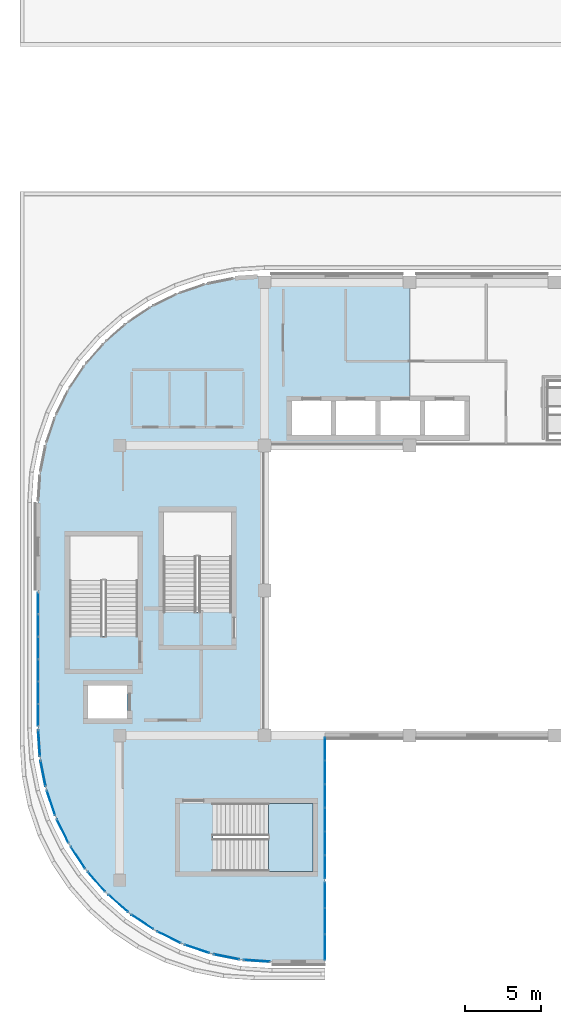
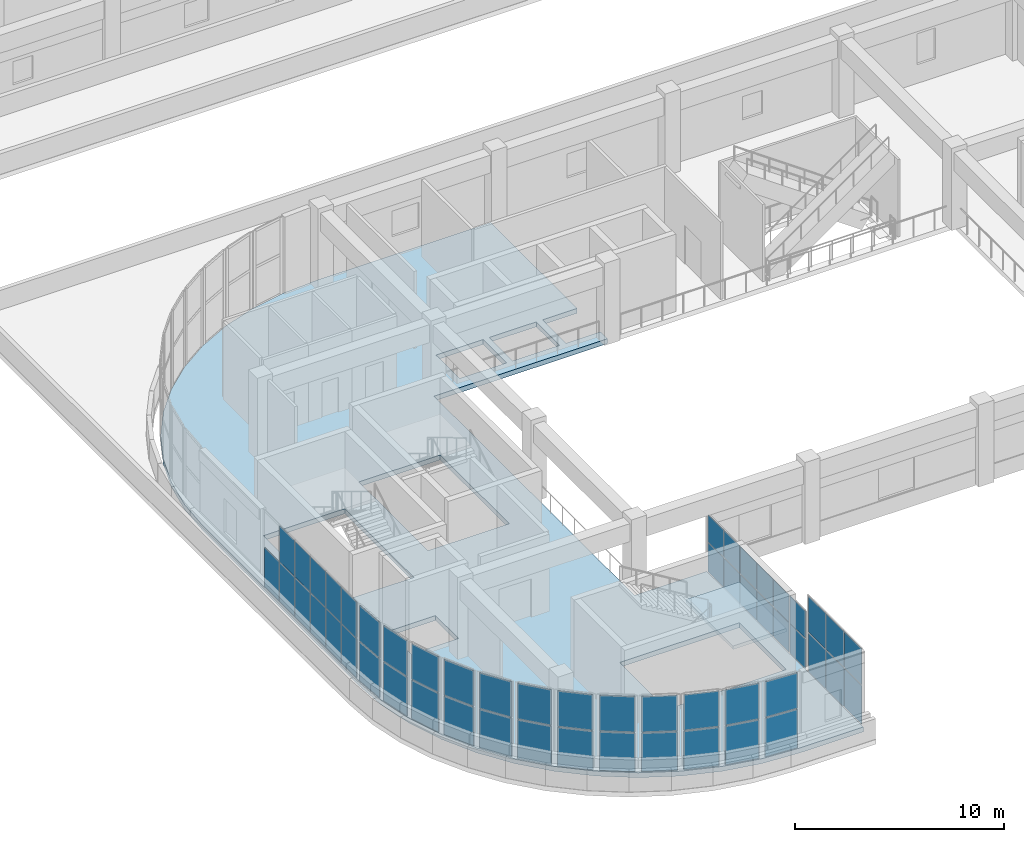
# One storey, part 26 of 67: 53 plates, 2 slabs, 16 elements without a shape of their own.
"""IFC4 building model written with IfcOpenShell, lengths in metres."""

from ifc_helpers import new_model, si_unit, direction, frame, origin, origin_2d, place, context, subcontext, project, spatial, polyline, rectangle, outline, extrude, material, layer, layer_set, type_object, element, aggregate, save


model = new_model("IFC4")

# Units and contexts
model_context = context("Model", 3, precision=1e-05, world=origin(), true_north=direction((0.0, 1.0)))
body_context = subcontext(model_context, "Body", "Model", "MODEL_VIEW")
ifc_project = project(units=[si_unit("LENGTHUNIT", "METRE"), si_unit("AREAUNIT", "SQUARE_METRE"), si_unit("VOLUMEUNIT", "CUBIC_METRE"), si_unit("PLANEANGLEUNIT", "RADIAN"), si_unit("MASSUNIT", "GRAM", prefix="KILO")], contexts=[model_context])

# Site, building, storey
site_placement = place(None, origin())
site = spatial("IfcSite", under=ifc_project, at=site_placement, CompositionType="ELEMENT")
building_placement = place(site_placement, origin())
building = spatial("IfcBuilding", under=site, at=building_placement, Name="Cendralis Terraced Arcade", CompositionType="ELEMENT")
storey_placement = place(building_placement, frame((0.0, 0.0, 15.0)))
storey = spatial("IfcBuildingStorey", under=building, at=storey_placement, Name="L03", CompositionType="ELEMENT", Elevation=15.0)

# Curtain wall, plates
ifc_material_1 = material(Name="Anodised aluminium EN AW-6063 T6", Category="aluminium")
ifc_layer_1 = layer(ifc_material_1, 0.1201171875, Name="CW-STORE-B")
ifc_layer_set_1 = layer_set([ifc_layer_1], Name="Anodised aluminium EN AW-6063 T6")
curtain_wall_type_1 = type_object("IfcCurtainWallType", Name="CW-STORE-B", PredefinedType="USERDEFINED", material=ifc_layer_set_1)
curtain_wall_1_placement = place(storey_placement, origin())
curtain_wall_1 = element("IfcCurtainWall", 1, at=curtain_wall_1_placement, inside=storey, type_object=curtain_wall_type_1, Name="Exterior Storefront Glazing CW-L03-0283", ObjectType="STOREFRONT GLAZING", PredefinedType="USERDEFINED")
ifc_material_2 = material(Name="Tempered solar control laminated glass", Category="glass")
ifc_layer_2 = layer(ifc_material_2, 0.02392578125, Name="CW-STORE-B-PNL")
ifc_layer_set_2 = layer_set([ifc_layer_2], Name="Tempered solar control laminated glass")
plate_type_1 = type_object("IfcPlateType", Name="CW-STORE-B-PNL", PredefinedType="CURTAIN_PANEL", material=ifc_layer_set_2)
plate_1_placement = place(storey_placement, frame((23.199951171875, 18.311279296875, 0.054931640625), z_axis=(0.0, 0.0, 1.0), x_axis=(0.0, -1.0, 0.0)))
plate_1 = element("IfcPlate", 2, at=plate_1_placement, type_object=plate_type_1, Name="CW-S2 panel 1.1", PredefinedType="CURTAIN_PANEL", context=body_context, shape_type="SweptSolid", body=[
    extrude(rectangle(XDim=1.487548828125, YDim=0.02392578125, at=origin_2d()), origin(), (0.0, 0.0, 1.0), 1.716796875),
])
plate_2_placement = place(storey_placement, frame((23.199951171875, 18.311279296875, 1.82666015625), z_axis=(0.0, 0.0, 1.0), x_axis=(0.0, -1.0, 0.0)))
plate_2 = element("IfcPlate", 3, at=plate_2_placement, type_object=plate_type_1, Name="CW-S2 panel 1.2", PredefinedType="CURTAIN_PANEL", context=body_context, shape_type="SweptSolid", body=[
    extrude(rectangle(XDim=1.487548828125, YDim=0.02392578125, at=origin_2d()), origin(), (0.0, 0.0, 1.0), 1.578369140625),
])
plate_3_placement = place(storey_placement, frame((23.199951171875, 16.7548828125, 0.054931640625), z_axis=(0.0, 0.0, 1.0), x_axis=(0.0, -1.0, 0.0)))
plate_3 = element("IfcPlate", 4, at=plate_3_placement, type_object=plate_type_1, Name="CW-S2 panel 2.1", PredefinedType="CURTAIN_PANEL", context=body_context, shape_type="SweptSolid", body=[
    extrude(rectangle(XDim=1.514892578125, YDim=0.02392578125, at=origin_2d()), origin(), (0.0, 0.0, 1.0), 1.716796875),
])
plate_4_placement = place(storey_placement, frame((23.199951171875, 16.7548828125, 1.82666015625), z_axis=(0.0, 0.0, 1.0), x_axis=(0.0, -1.0, 0.0)))
plate_4 = element("IfcPlate", 5, at=plate_4_placement, type_object=plate_type_1, Name="CW-S2 panel 2.2", PredefinedType="CURTAIN_PANEL", context=body_context, shape_type="SweptSolid", body=[
    extrude(rectangle(XDim=1.514892578125, YDim=0.02392578125, at=origin_2d()), origin(), (0.0, 0.0, 1.0), 1.578369140625),
])
plate_5_placement = place(storey_placement, frame((23.199951171875, 15.18505859375, 0.054931640625), z_axis=(0.0, 0.0, 1.0), x_axis=(0.0, -1.0, 0.0)))
plate_5 = element("IfcPlate", 6, at=plate_5_placement, type_object=plate_type_1, Name="CW-S2 panel 3.1", PredefinedType="CURTAIN_PANEL", context=body_context, shape_type="SweptSolid", body=[
    extrude(rectangle(XDim=1.514892578125, YDim=0.02392578125, at=origin_2d()), origin(), (0.0, 0.0, 1.0), 1.716796875),
])
plate_6_placement = place(storey_placement, frame((23.199951171875, 15.18505859375, 1.82666015625), z_axis=(0.0, 0.0, 1.0), x_axis=(0.0, -1.0, 0.0)))
plate_6 = element("IfcPlate", 7, at=plate_6_placement, type_object=plate_type_1, Name="CW-S2 panel 3.2", PredefinedType="CURTAIN_PANEL", context=body_context, shape_type="SweptSolid", body=[
    extrude(rectangle(XDim=1.514892578125, YDim=0.02392578125, at=origin_2d()), origin(), (0.0, 0.0, 1.0), 1.578369140625),
])
plate_7_placement = place(storey_placement, frame((23.199951171875, 13.614990234375, 0.054931640625), z_axis=(0.0, 0.0, 1.0), x_axis=(0.0, -1.0, 0.0)))
plate_7 = element("IfcPlate", 8, at=plate_7_placement, type_object=plate_type_1, Name="CW-S2 panel 4.1", PredefinedType="CURTAIN_PANEL", context=body_context, shape_type="SweptSolid", body=[
    extrude(rectangle(XDim=1.514892578125, YDim=0.02392578125, at=origin_2d()), origin(), (0.0, 0.0, 1.0), 1.716796875),
])
plate_8_placement = place(storey_placement, frame((23.199951171875, 13.614990234375, 1.82666015625), z_axis=(0.0, 0.0, 1.0), x_axis=(0.0, -1.0, 0.0)))
plate_8 = element("IfcPlate", 9, at=plate_8_placement, type_object=plate_type_1, Name="CW-S2 panel 4.2", PredefinedType="CURTAIN_PANEL", context=body_context, shape_type="SweptSolid", body=[
    extrude(rectangle(XDim=1.514892578125, YDim=0.02392578125, at=origin_2d()), origin(), (0.0, 0.0, 1.0), 1.578369140625),
])
plate_9_placement = place(storey_placement, frame((23.199951171875, 12.044921875, 0.054931640625), z_axis=(0.0, 0.0, 1.0), x_axis=(0.0, -1.0, 0.0)))
plate_9 = element("IfcPlate", 10, at=plate_9_placement, type_object=plate_type_1, Name="CW-S2 panel 5.1", PredefinedType="CURTAIN_PANEL", context=body_context, shape_type="SweptSolid", body=[
    extrude(rectangle(XDim=1.514892578125, YDim=0.02392578125, at=origin_2d()), origin(), (0.0, 0.0, 1.0), 1.716796875),
])
plate_10_placement = place(storey_placement, frame((23.199951171875, 12.044921875, 1.82666015625), z_axis=(0.0, 0.0, 1.0), x_axis=(0.0, -1.0, 0.0)))
plate_10 = element("IfcPlate", 11, at=plate_10_placement, type_object=plate_type_1, Name="CW-S2 panel 5.2", PredefinedType="CURTAIN_PANEL", context=body_context, shape_type="SweptSolid", body=[
    extrude(rectangle(XDim=1.514892578125, YDim=0.02392578125, at=origin_2d()), origin(), (0.0, 0.0, 1.0), 1.578369140625),
])
plate_11_placement = place(storey_placement, frame((23.199951171875, 10.48876953125, 0.054931640625), z_axis=(0.0, 0.0, 1.0), x_axis=(0.0, -1.0, 0.0)))
plate_11 = element("IfcPlate", 12, at=plate_11_placement, type_object=plate_type_1, Name="CW-S2 panel 6.1", PredefinedType="CURTAIN_PANEL", context=body_context, shape_type="SweptSolid", body=[
    extrude(rectangle(XDim=1.487548828125, YDim=0.02392578125, at=origin_2d()), origin(), (0.0, 0.0, 1.0), 1.716796875),
])
plate_12_placement = place(storey_placement, frame((23.199951171875, 10.48876953125, 1.82666015625), z_axis=(0.0, 0.0, 1.0), x_axis=(0.0, -1.0, 0.0)))
plate_12 = element("IfcPlate", 13, at=plate_12_placement, type_object=plate_type_1, Name="CW-S2 panel 6.2", PredefinedType="CURTAIN_PANEL", context=body_context, shape_type="SweptSolid", body=[
    extrude(rectangle(XDim=1.487548828125, YDim=0.02392578125, at=origin_2d()), origin(), (0.0, 0.0, 1.0), 1.578369140625),
])
aggregate(curtain_wall_1, [plate_1, plate_2, plate_3, plate_4, plate_5, plate_6, plate_7, plate_8, plate_9, plate_10, plate_11, plate_12])

curtain_wall_2_placement = place(storey_placement, origin())
curtain_wall_2 = element("IfcCurtainWall", 14, at=curtain_wall_2_placement, inside=storey, type_object=curtain_wall_type_1, Name="Exterior Storefront Glazing CW-L03-0284", ObjectType="STOREFRONT GLAZING", PredefinedType="USERDEFINED")
plate_13_placement = place(storey_placement, frame((23.199951171875, 8.626220703125, 0.05517578125), z_axis=(0.0, 0.0, 1.0), x_axis=(0.0, -1.0, 0.0)))
plate_13 = element("IfcPlate", 15, at=plate_13_placement, type_object=plate_type_1, Name="CW-S2 panel 1.1", PredefinedType="CURTAIN_PANEL", context=body_context, shape_type="SweptSolid", body=[
    extrude(rectangle(XDim=1.657470703125, YDim=0.02392578125, at=origin_2d()), origin(), (0.0, 0.0, 1.0), 2.267822265625),
])
plate_14_placement = place(storey_placement, frame((23.199951171875, 8.626220703125, 2.3779296875), z_axis=(0.0, 0.0, 1.0), x_axis=(0.0, -1.0, 0.0)))
plate_14 = element("IfcPlate", 16, at=plate_14_placement, type_object=plate_type_1, Name="CW-S2 panel 1.2", PredefinedType="CURTAIN_PANEL", context=body_context, shape_type="SweptSolid", body=[
    extrude(rectangle(XDim=1.657470703125, YDim=0.02392578125, at=origin_2d()), origin(), (0.0, 0.0, 1.0), 2.087158203125),
])
plate_15_placement = place(storey_placement, frame((23.199951171875, 6.89990234375, 0.05517578125), z_axis=(0.0, 0.0, 1.0), x_axis=(0.0, -1.0, 0.0)))
plate_15 = element("IfcPlate", 17, at=plate_15_placement, type_object=plate_type_1, Name="CW-S2 panel 2.1", PredefinedType="CURTAIN_PANEL", context=body_context, shape_type="SweptSolid", body=[
    extrude(rectangle(XDim=1.68505859375, YDim=0.02392578125, at=origin_2d()), origin(), (0.0, 0.0, 1.0), 2.267822265625),
])
plate_16_placement = place(storey_placement, frame((23.199951171875, 6.89990234375, 2.3779296875), z_axis=(0.0, 0.0, 1.0), x_axis=(0.0, -1.0, 0.0)))
plate_16 = element("IfcPlate", 18, at=plate_16_placement, type_object=plate_type_1, Name="CW-S2 panel 2.2", PredefinedType="CURTAIN_PANEL", context=body_context, shape_type="SweptSolid", body=[
    extrude(rectangle(XDim=1.68505859375, YDim=0.02392578125, at=origin_2d()), origin(), (0.0, 0.0, 1.0), 2.087158203125),
])
plate_17_placement = place(storey_placement, frame((23.199951171875, 5.173828125, 0.05517578125), z_axis=(0.0, 0.0, 1.0), x_axis=(0.0, -1.0, 0.0)))
plate_17 = element("IfcPlate", 19, at=plate_17_placement, type_object=plate_type_1, Name="CW-S2 panel 3.1", PredefinedType="CURTAIN_PANEL", context=body_context, shape_type="SweptSolid", body=[
    extrude(rectangle(XDim=1.657470703125, YDim=0.02392578125, at=origin_2d()), origin(), (0.0, 0.0, 1.0), 2.267822265625),
])
plate_18_placement = place(storey_placement, frame((23.199951171875, 5.173828125, 2.3779296875), z_axis=(0.0, 0.0, 1.0), x_axis=(0.0, -1.0, 0.0)))
plate_18 = element("IfcPlate", 20, at=plate_18_placement, type_object=plate_type_1, Name="CW-S2 panel 3.2", PredefinedType="CURTAIN_PANEL", context=body_context, shape_type="SweptSolid", body=[
    extrude(rectangle(XDim=1.657470703125, YDim=0.02392578125, at=origin_2d()), origin(), (0.0, 0.0, 1.0), 2.087158203125),
])
aggregate(curtain_wall_2, [plate_13, plate_14, plate_15, plate_16, plate_17, plate_18])

curtain_wall_3_placement = place(storey_placement, origin())
curtain_wall_3 = element("IfcCurtainWall", 21, at=curtain_wall_3_placement, inside=storey, type_object=curtain_wall_type_1, Name="Exterior Storefront Glazing CW-L03-0297", ObjectType="STOREFRONT GLAZING", PredefinedType="USERDEFINED")
plate_19_placement = place(storey_placement, frame((4.199951171875, 20.547119140625, 0.05517578125), z_axis=(0.0, 0.0, 1.0), x_axis=(0.0, 1.0, 0.0)))
plate_19 = element("IfcPlate", 22, at=plate_19_placement, type_object=plate_type_1, Name="CW-S2 panel 1.1", PredefinedType="CURTAIN_PANEL", context=body_context, shape_type="SweptSolid", body=[
    extrude(rectangle(XDim=1.404052734375, YDim=0.02392578125, at=origin_2d()), origin(), (0.0, 0.0, 1.0), 2.267822265625),
])
plate_20_placement = place(storey_placement, frame((4.199951171875, 20.547119140625, 2.3779296875), z_axis=(0.0, 0.0, 1.0), x_axis=(0.0, 1.0, 0.0)))
plate_20 = element("IfcPlate", 23, at=plate_20_placement, type_object=plate_type_1, Name="CW-S2 panel 1.2", PredefinedType="CURTAIN_PANEL", context=body_context, shape_type="SweptSolid", body=[
    extrude(rectangle(XDim=1.404052734375, YDim=0.02392578125, at=origin_2d()), origin(), (0.0, 0.0, 1.0), 2.087158203125),
])
plate_21_placement = place(storey_placement, frame((4.199951171875, 22.02001953125, 0.05517578125), z_axis=(0.0, 0.0, 1.0), x_axis=(0.0, 1.0, 0.0)))
plate_21 = element("IfcPlate", 24, at=plate_21_placement, type_object=plate_type_1, Name="CW-S2 panel 2.1", PredefinedType="CURTAIN_PANEL", context=body_context, shape_type="SweptSolid", body=[
    extrude(rectangle(XDim=1.431640625, YDim=0.02392578125, at=origin_2d()), origin(), (0.0, 0.0, 1.0), 2.267822265625),
])
plate_22_placement = place(storey_placement, frame((4.199951171875, 22.02001953125, 2.3779296875), z_axis=(0.0, 0.0, 1.0), x_axis=(0.0, 1.0, 0.0)))
plate_22 = element("IfcPlate", 25, at=plate_22_placement, type_object=plate_type_1, Name="CW-S2 panel 2.2", PredefinedType="CURTAIN_PANEL", context=body_context, shape_type="SweptSolid", body=[
    extrude(rectangle(XDim=1.431640625, YDim=0.02392578125, at=origin_2d()), origin(), (0.0, 0.0, 1.0), 2.087158203125),
])
plate_23_placement = place(storey_placement, frame((4.199951171875, 23.506591796875, 0.05517578125), z_axis=(0.0, 0.0, 1.0), x_axis=(0.0, 1.0, 0.0)))
plate_23 = element("IfcPlate", 26, at=plate_23_placement, type_object=plate_type_1, Name="CW-S2 panel 3.1", PredefinedType="CURTAIN_PANEL", context=body_context, shape_type="SweptSolid", body=[
    extrude(rectangle(XDim=1.431640625, YDim=0.02392578125, at=origin_2d()), origin(), (0.0, 0.0, 1.0), 2.267822265625),
])
plate_24_placement = place(storey_placement, frame((4.199951171875, 23.506591796875, 2.3779296875), z_axis=(0.0, 0.0, 1.0), x_axis=(0.0, 1.0, 0.0)))
plate_24 = element("IfcPlate", 27, at=plate_24_placement, type_object=plate_type_1, Name="CW-S2 panel 3.2", PredefinedType="CURTAIN_PANEL", context=body_context, shape_type="SweptSolid", body=[
    extrude(rectangle(XDim=1.431640625, YDim=0.02392578125, at=origin_2d()), origin(), (0.0, 0.0, 1.0), 2.087158203125),
])
plate_25_placement = place(storey_placement, frame((4.199951171875, 24.993408203125, 0.05517578125), z_axis=(0.0, 0.0, 1.0), x_axis=(0.0, 1.0, 0.0)))
plate_25 = element("IfcPlate", 28, at=plate_25_placement, type_object=plate_type_1, Name="CW-S2 panel 4.1", PredefinedType="CURTAIN_PANEL", context=body_context, shape_type="SweptSolid", body=[
    extrude(rectangle(XDim=1.431640625, YDim=0.02392578125, at=origin_2d()), origin(), (0.0, 0.0, 1.0), 2.267822265625),
])
plate_26_placement = place(storey_placement, frame((4.199951171875, 24.993408203125, 2.3779296875), z_axis=(0.0, 0.0, 1.0), x_axis=(0.0, 1.0, 0.0)))
plate_26 = element("IfcPlate", 29, at=plate_26_placement, type_object=plate_type_1, Name="CW-S2 panel 4.2", PredefinedType="CURTAIN_PANEL", context=body_context, shape_type="SweptSolid", body=[
    extrude(rectangle(XDim=1.431640625, YDim=0.02392578125, at=origin_2d()), origin(), (0.0, 0.0, 1.0), 2.087158203125),
])
plate_27_placement = place(storey_placement, frame((4.199951171875, 26.47998046875, 0.05517578125), z_axis=(0.0, 0.0, 1.0), x_axis=(0.0, 1.0, 0.0)))
plate_27 = element("IfcPlate", 30, at=plate_27_placement, type_object=plate_type_1, Name="CW-S2 panel 5.1", PredefinedType="CURTAIN_PANEL", context=body_context, shape_type="SweptSolid", body=[
    extrude(rectangle(XDim=1.431640625, YDim=0.02392578125, at=origin_2d()), origin(), (0.0, 0.0, 1.0), 2.267822265625),
])
plate_28_placement = place(storey_placement, frame((4.199951171875, 26.47998046875, 2.3779296875), z_axis=(0.0, 0.0, 1.0), x_axis=(0.0, 1.0, 0.0)))
plate_28 = element("IfcPlate", 31, at=plate_28_placement, type_object=plate_type_1, Name="CW-S2 panel 5.2", PredefinedType="CURTAIN_PANEL", context=body_context, shape_type="SweptSolid", body=[
    extrude(rectangle(XDim=1.431640625, YDim=0.02392578125, at=origin_2d()), origin(), (0.0, 0.0, 1.0), 2.087158203125),
])
plate_29_placement = place(storey_placement, frame((4.199951171875, 27.952880859375, 0.05517578125), z_axis=(0.0, 0.0, 1.0), x_axis=(0.0, 1.0, 0.0)))
plate_29 = element("IfcPlate", 32, at=plate_29_placement, type_object=plate_type_1, Name="CW-S2 panel 6.1", PredefinedType="CURTAIN_PANEL", context=body_context, shape_type="SweptSolid", body=[
    extrude(rectangle(XDim=1.404052734375, YDim=0.02392578125, at=origin_2d()), origin(), (0.0, 0.0, 1.0), 2.267822265625),
])
aggregate(curtain_wall_3, [plate_19, plate_20, plate_21, plate_22, plate_23, plate_24, plate_25, plate_26, plate_27, plate_28, plate_29])

ifc_layer_3 = layer(ifc_material_1, 0.179931640625, Name="CW-UNIT-A")
ifc_layer_set_3 = layer_set([ifc_layer_3], Name="Anodised aluminium EN AW-6063 T6")
curtain_wall_type_2 = type_object("IfcCurtainWallType", Name="CW-UNIT-A", PredefinedType="USERDEFINED", material=ifc_layer_set_3)
curtain_wall_4_placement = place(storey_placement, origin())
curtain_wall_4 = element("IfcCurtainWall", 33, at=curtain_wall_4_placement, inside=storey, type_object=curtain_wall_type_2, Name="Exterior Unitised Facade CW-L03-0285", ObjectType="UNITISED FACADE", PredefinedType="USERDEFINED")
ifc_layer_4 = layer(ifc_material_2, 0.035888671875, Name="CW-UNIT-A-PNL")
ifc_layer_set_4 = layer_set([ifc_layer_4], Name="Tempered solar control laminated glass")
plate_type_2 = type_object("IfcPlateType", Name="CW-UNIT-A-PNL", PredefinedType="CURTAIN_PANEL", material=ifc_layer_set_4)
plate_30_placement = place(storey_placement, frame((18.6884765625, 4.266357421875, 0.06494140625), z_axis=(0.0, 0.0, 1.0), x_axis=(-0.997860192175, 0.065383766124, 0.0)))
plate_30 = element("IfcPlate", 34, at=plate_30_placement, type_object=plate_type_2, Name="CW-U1 panel 1.1", PredefinedType="CURTAIN_PANEL", context=body_context, shape_type="SweptSolid", body=[
    extrude(rectangle(XDim=1.717529296875, YDim=0.035888671875, at=origin_2d()), origin(), (0.0, 0.0, 1.0), 2.2529296875),
])
plate_31_placement = place(storey_placement, frame((18.6884765625, 4.266357421875, 2.3828125), z_axis=(0.0, 0.0, 1.0), x_axis=(-0.997860192175, 0.065383766124, 0.0)))
plate_31 = element("IfcPlate", 35, at=plate_31_placement, type_object=plate_type_2, Name="CW-U1 panel 1.2", PredefinedType="CURTAIN_PANEL", context=body_context, shape_type="SweptSolid", body=[
    extrude(rectangle(XDim=1.717529296875, YDim=0.035888671875, at=origin_2d()), origin(), (0.0, 0.0, 1.0), 2.072021484375),
])
aggregate(curtain_wall_4, [plate_30, plate_31])

curtain_wall_5_placement = place(storey_placement, origin())
curtain_wall_5 = element("IfcCurtainWall", 36, at=curtain_wall_5_placement, inside=storey, type_object=curtain_wall_type_2, Name="Exterior Unitised Facade CW-L03-0286", ObjectType="UNITISED FACADE", PredefinedType="USERDEFINED")
plate_32_placement = place(storey_placement, frame((16.6826171875, 4.5302734375, 0.06494140625), z_axis=(0.0, 0.0, 1.0), x_axis=(-0.980796601395, 0.195033398913, 0.0)))
plate_32 = element("IfcPlate", 37, at=plate_32_placement, type_object=plate_type_2, Name="CW-U1 panel 1.1", PredefinedType="CURTAIN_PANEL", context=body_context, shape_type="SweptSolid", body=[
    extrude(rectangle(XDim=1.71728515625, YDim=0.035888671875, at=origin_2d()), origin(), (0.0, 0.0, 1.0), 2.2529296875),
])
plate_33_placement = place(storey_placement, frame((16.6826171875, 4.5302734375, 2.3828125), z_axis=(0.0, 0.0, 1.0), x_axis=(-0.980796601395, 0.195033398913, 0.0)))
plate_33 = element("IfcPlate", 38, at=plate_33_placement, type_object=plate_type_2, Name="CW-U1 panel 1.2", PredefinedType="CURTAIN_PANEL", context=body_context, shape_type="SweptSolid", body=[
    extrude(rectangle(XDim=1.71728515625, YDim=0.035888671875, at=origin_2d()), origin(), (0.0, 0.0, 1.0), 2.072021484375),
])
aggregate(curtain_wall_5, [plate_32, plate_33])

curtain_wall_6_placement = place(storey_placement, origin())
curtain_wall_6 = element("IfcCurtainWall", 39, at=curtain_wall_6_placement, inside=storey, type_object=curtain_wall_type_2, Name="Exterior Unitised Facade CW-L03-0287", ObjectType="UNITISED FACADE", PredefinedType="USERDEFINED")
plate_34_placement = place(storey_placement, frame((14.728271484375, 5.053955078125, 0.06494140625), z_axis=(0.0, 0.0, 1.0), x_axis=(-0.946909571674, 0.32150002033, 0.0)))
plate_34 = element("IfcPlate", 40, at=plate_34_placement, type_object=plate_type_2, Name="CW-U1 panel 1.1", PredefinedType="CURTAIN_PANEL", context=body_context, shape_type="SweptSolid", body=[
    extrude(rectangle(XDim=1.717529296875, YDim=0.035888671875, at=origin_2d()), origin(), (0.0, 0.0, 1.0), 2.2529296875),
])
plate_35_placement = place(storey_placement, frame((14.728271484375, 5.053955078125, 2.3828125), z_axis=(0.0, 0.0, 1.0), x_axis=(-0.946909571674, 0.32150002033, 0.0)))
plate_35 = element("IfcPlate", 41, at=plate_35_placement, type_object=plate_type_2, Name="CW-U1 panel 1.2", PredefinedType="CURTAIN_PANEL", context=body_context, shape_type="SweptSolid", body=[
    extrude(rectangle(XDim=1.717529296875, YDim=0.035888671875, at=origin_2d()), origin(), (0.0, 0.0, 1.0), 2.072021484375),
])
aggregate(curtain_wall_6, [plate_34, plate_35])

curtain_wall_7_placement = place(storey_placement, origin())
curtain_wall_7 = element("IfcCurtainWall", 42, at=curtain_wall_7_placement, inside=storey, type_object=curtain_wall_type_2, Name="Exterior Unitised Facade CW-L03-0288", ObjectType="UNITISED FACADE", PredefinedType="USERDEFINED")
plate_36_placement = place(storey_placement, frame((12.859130859375, 5.828369140625, 0.06494140625), z_axis=(0.0, 0.0, 1.0), x_axis=(-0.896881752867, 0.442270416572, 0.0)))
plate_36 = element("IfcPlate", 43, at=plate_36_placement, type_object=plate_type_2, Name="CW-U1 panel 1.1", PredefinedType="CURTAIN_PANEL", context=body_context, shape_type="SweptSolid", body=[
    extrude(rectangle(XDim=1.717529296875, YDim=0.035888671875, at=origin_2d()), origin(), (0.0, 0.0, 1.0), 2.2529296875),
])
plate_37_placement = place(storey_placement, frame((12.859130859375, 5.828369140625, 2.3828125), z_axis=(0.0, 0.0, 1.0), x_axis=(-0.896881752867, 0.442270416572, 0.0)))
plate_37 = element("IfcPlate", 44, at=plate_37_placement, type_object=plate_type_2, Name="CW-U1 panel 1.2", PredefinedType="CURTAIN_PANEL", context=body_context, shape_type="SweptSolid", body=[
    extrude(rectangle(XDim=1.717529296875, YDim=0.035888671875, at=origin_2d()), origin(), (0.0, 0.0, 1.0), 2.072021484375),
])
aggregate(curtain_wall_7, [plate_36, plate_37])

curtain_wall_8_placement = place(storey_placement, origin())
curtain_wall_8 = element("IfcCurtainWall", 45, at=curtain_wall_8_placement, inside=storey, type_object=curtain_wall_type_2, Name="Exterior Unitised Facade CW-L03-0289", ObjectType="UNITISED FACADE", PredefinedType="USERDEFINED")
plate_38_placement = place(storey_placement, frame((11.107177734375, 6.83984375, 0.06494140625), z_axis=(0.0, 0.0, 1.0), x_axis=(-0.831483619587, 0.555549269065, 0.0)))
plate_38 = element("IfcPlate", 46, at=plate_38_placement, type_object=plate_type_2, Name="CW-U1 panel 1.1", PredefinedType="CURTAIN_PANEL", context=body_context, shape_type="SweptSolid", body=[
    extrude(rectangle(XDim=1.717529296875, YDim=0.035888671875, at=origin_2d()), origin(), (0.0, 0.0, 1.0), 2.2529296875),
])
plate_39_placement = place(storey_placement, frame((11.107177734375, 6.83984375, 2.3828125), z_axis=(0.0, 0.0, 1.0), x_axis=(-0.831483619587, 0.555549269065, 0.0)))
plate_39 = element("IfcPlate", 47, at=plate_39_placement, type_object=plate_type_2, Name="CW-U1 panel 1.2", PredefinedType="CURTAIN_PANEL", context=body_context, shape_type="SweptSolid", body=[
    extrude(rectangle(XDim=1.717529296875, YDim=0.035888671875, at=origin_2d()), origin(), (0.0, 0.0, 1.0), 2.072021484375),
])
aggregate(curtain_wall_8, [plate_38, plate_39])

curtain_wall_9_placement = place(storey_placement, origin())
curtain_wall_9 = element("IfcCurtainWall", 48, at=curtain_wall_9_placement, inside=storey, type_object=curtain_wall_type_2, Name="Exterior Unitised Facade CW-L03-0290", ObjectType="UNITISED FACADE", PredefinedType="USERDEFINED")
plate_40_placement = place(storey_placement, frame((9.501953125, 8.0712890625, 0.06494140625), z_axis=(0.0, 0.0, 1.0), x_axis=(-0.751818424075, 0.659370197402, 0.0)))
plate_40 = element("IfcPlate", 49, at=plate_40_placement, type_object=plate_type_2, Name="CW-U1 panel 1.1", PredefinedType="CURTAIN_PANEL", context=body_context, shape_type="SweptSolid", body=[
    extrude(rectangle(XDim=1.717529296875, YDim=0.035888671875, at=origin_2d()), origin(), (0.0, 0.0, 1.0), 2.2529296875),
])
plate_41_placement = place(storey_placement, frame((9.501953125, 8.0712890625, 2.3828125), z_axis=(0.0, 0.0, 1.0), x_axis=(-0.751818424075, 0.659370197402, 0.0)))
plate_41 = element("IfcPlate", 50, at=plate_41_placement, type_object=plate_type_2, Name="CW-U1 panel 1.2", PredefinedType="CURTAIN_PANEL", context=body_context, shape_type="SweptSolid", body=[
    extrude(rectangle(XDim=1.717529296875, YDim=0.035888671875, at=origin_2d()), origin(), (0.0, 0.0, 1.0), 2.072021484375),
])
aggregate(curtain_wall_9, [plate_40, plate_41])

curtain_wall_10_placement = place(storey_placement, origin())
curtain_wall_10 = element("IfcCurtainWall", 51, at=curtain_wall_10_placement, inside=storey, type_object=curtain_wall_type_2, Name="Exterior Unitised Facade CW-L03-0291", ObjectType="UNITISED FACADE", PredefinedType="USERDEFINED")
plate_42_placement = place(storey_placement, frame((8.0712890625, 9.501953125, 0.06494140625), z_axis=(0.0, 0.0, 1.0), x_axis=(-0.659370197402, 0.751818424075, 0.0)))
plate_42 = element("IfcPlate", 52, at=plate_42_placement, type_object=plate_type_2, Name="CW-U1 panel 1.1", PredefinedType="CURTAIN_PANEL", context=body_context, shape_type="SweptSolid", body=[
    extrude(rectangle(XDim=1.717529296875, YDim=0.035888671875, at=origin_2d()), origin(), (0.0, 0.0, 1.0), 2.2529296875),
])
plate_43_placement = place(storey_placement, frame((8.0712890625, 9.501953125, 2.3828125), z_axis=(0.0, 0.0, 1.0), x_axis=(-0.659370197402, 0.751818424075, 0.0)))
plate_43 = element("IfcPlate", 53, at=plate_43_placement, type_object=plate_type_2, Name="CW-U1 panel 1.2", PredefinedType="CURTAIN_PANEL", context=body_context, shape_type="SweptSolid", body=[
    extrude(rectangle(XDim=1.717529296875, YDim=0.035888671875, at=origin_2d()), origin(), (0.0, 0.0, 1.0), 2.072021484375),
])
aggregate(curtain_wall_10, [plate_42, plate_43])

curtain_wall_11_placement = place(storey_placement, origin())
curtain_wall_11 = element("IfcCurtainWall", 54, at=curtain_wall_11_placement, inside=storey, type_object=curtain_wall_type_2, Name="Exterior Unitised Facade CW-L03-0292", ObjectType="UNITISED FACADE", PredefinedType="USERDEFINED")
plate_44_placement = place(storey_placement, frame((6.83984375, 11.107177734375, 0.06494140625), z_axis=(0.0, 0.0, 1.0), x_axis=(-0.555549269065, 0.831483619587, 0.0)))
plate_44 = element("IfcPlate", 55, at=plate_44_placement, type_object=plate_type_2, Name="CW-U1 panel 1.1", PredefinedType="CURTAIN_PANEL", context=body_context, shape_type="SweptSolid", body=[
    extrude(rectangle(XDim=1.717529296875, YDim=0.035888671875, at=origin_2d()), origin(), (0.0, 0.0, 1.0), 2.2529296875),
])
plate_45_placement = place(storey_placement, frame((6.83984375, 11.107177734375, 2.3828125), z_axis=(0.0, 0.0, 1.0), x_axis=(-0.555549269065, 0.831483619587, 0.0)))
plate_45 = element("IfcPlate", 56, at=plate_45_placement, type_object=plate_type_2, Name="CW-U1 panel 1.2", PredefinedType="CURTAIN_PANEL", context=body_context, shape_type="SweptSolid", body=[
    extrude(rectangle(XDim=1.717529296875, YDim=0.035888671875, at=origin_2d()), origin(), (0.0, 0.0, 1.0), 2.072021484375),
])
aggregate(curtain_wall_11, [plate_44, plate_45])

curtain_wall_12_placement = place(storey_placement, origin())
curtain_wall_12 = element("IfcCurtainWall", 57, at=curtain_wall_12_placement, inside=storey, type_object=curtain_wall_type_2, Name="Exterior Unitised Facade CW-L03-0293", ObjectType="UNITISED FACADE", PredefinedType="USERDEFINED")
plate_46_placement = place(storey_placement, frame((5.828369140625, 12.859130859375, 0.06494140625), z_axis=(0.0, 0.0, 1.0), x_axis=(-0.442270416572, 0.896881752867, 0.0)))
plate_46 = element("IfcPlate", 58, at=plate_46_placement, type_object=plate_type_2, Name="CW-U1 panel 1.1", PredefinedType="CURTAIN_PANEL", context=body_context, shape_type="SweptSolid", body=[
    extrude(rectangle(XDim=1.717529296875, YDim=0.035888671875, at=origin_2d()), origin(), (0.0, 0.0, 1.0), 2.2529296875),
])
plate_47_placement = place(storey_placement, frame((5.828369140625, 12.859130859375, 2.3828125), z_axis=(0.0, 0.0, 1.0), x_axis=(-0.442270416572, 0.896881752867, 0.0)))
plate_47 = element("IfcPlate", 59, at=plate_47_placement, type_object=plate_type_2, Name="CW-U1 panel 1.2", PredefinedType="CURTAIN_PANEL", context=body_context, shape_type="SweptSolid", body=[
    extrude(rectangle(XDim=1.717529296875, YDim=0.035888671875, at=origin_2d()), origin(), (0.0, 0.0, 1.0), 2.072021484375),
])
aggregate(curtain_wall_12, [plate_46, plate_47])

curtain_wall_13_placement = place(storey_placement, origin())
curtain_wall_13 = element("IfcCurtainWall", 60, at=curtain_wall_13_placement, inside=storey, type_object=curtain_wall_type_2, Name="Exterior Unitised Facade CW-L03-0294", ObjectType="UNITISED FACADE", PredefinedType="USERDEFINED")
plate_48_placement = place(storey_placement, frame((5.053955078125, 14.728271484375, 0.06494140625), z_axis=(0.0, 0.0, 1.0), x_axis=(-0.32150002033, 0.946909571674, 0.0)))
plate_48 = element("IfcPlate", 61, at=plate_48_placement, type_object=plate_type_2, Name="CW-U1 panel 1.1", PredefinedType="CURTAIN_PANEL", context=body_context, shape_type="SweptSolid", body=[
    extrude(rectangle(XDim=1.717529296875, YDim=0.035888671875, at=origin_2d()), origin(), (0.0, 0.0, 1.0), 2.2529296875),
])
plate_49_placement = place(storey_placement, frame((5.053955078125, 14.728271484375, 2.3828125), z_axis=(0.0, 0.0, 1.0), x_axis=(-0.32150002033, 0.946909571674, 0.0)))
plate_49 = element("IfcPlate", 62, at=plate_49_placement, type_object=plate_type_2, Name="CW-U1 panel 1.2", PredefinedType="CURTAIN_PANEL", context=body_context, shape_type="SweptSolid", body=[
    extrude(rectangle(XDim=1.717529296875, YDim=0.035888671875, at=origin_2d()), origin(), (0.0, 0.0, 1.0), 2.072021484375),
])
aggregate(curtain_wall_13, [plate_48, plate_49])

curtain_wall_14_placement = place(storey_placement, origin())
curtain_wall_14 = element("IfcCurtainWall", 63, at=curtain_wall_14_placement, inside=storey, type_object=curtain_wall_type_2, Name="Exterior Unitised Facade CW-L03-0295", ObjectType="UNITISED FACADE", PredefinedType="USERDEFINED")
plate_50_placement = place(storey_placement, frame((4.5302734375, 16.6826171875, 0.06494140625), z_axis=(0.0, 0.0, 1.0), x_axis=(-0.195033398913, 0.980796601395, 0.0)))
plate_50 = element("IfcPlate", 64, at=plate_50_placement, type_object=plate_type_2, Name="CW-U1 panel 1.1", PredefinedType="CURTAIN_PANEL", context=body_context, shape_type="SweptSolid", body=[
    extrude(rectangle(XDim=1.71728515625, YDim=0.035888671875, at=origin_2d()), origin(), (0.0, 0.0, 1.0), 2.2529296875),
])
plate_51_placement = place(storey_placement, frame((4.5302734375, 16.6826171875, 2.3828125), z_axis=(0.0, 0.0, 1.0), x_axis=(-0.195033398913, 0.980796601395, 0.0)))
plate_51 = element("IfcPlate", 65, at=plate_51_placement, type_object=plate_type_2, Name="CW-U1 panel 1.2", PredefinedType="CURTAIN_PANEL", context=body_context, shape_type="SweptSolid", body=[
    extrude(rectangle(XDim=1.71728515625, YDim=0.035888671875, at=origin_2d()), origin(), (0.0, 0.0, 1.0), 2.072021484375),
])
aggregate(curtain_wall_14, [plate_50, plate_51])

curtain_wall_15_placement = place(storey_placement, origin())
curtain_wall_15 = element("IfcCurtainWall", 66, at=curtain_wall_15_placement, inside=storey, type_object=curtain_wall_type_2, Name="Exterior Unitised Facade CW-L03-0296", ObjectType="UNITISED FACADE", PredefinedType="USERDEFINED")
plate_52_placement = place(storey_placement, frame((4.266357421875, 18.6884765625, 0.06494140625), z_axis=(0.0, 0.0, 1.0), x_axis=(-0.065383766124, 0.997860192175, 0.0)))
plate_52 = element("IfcPlate", 67, at=plate_52_placement, type_object=plate_type_2, Name="CW-U1 panel 1.1", PredefinedType="CURTAIN_PANEL", context=body_context, shape_type="SweptSolid", body=[
    extrude(rectangle(XDim=1.717529296875, YDim=0.035888671875, at=origin_2d()), origin(), (0.0, 0.0, 1.0), 2.2529296875),
])
plate_53_placement = place(storey_placement, frame((4.266357421875, 18.6884765625, 2.3828125), z_axis=(0.0, 0.0, 1.0), x_axis=(-0.065383766124, 0.997860192175, 0.0)))
plate_53 = element("IfcPlate", 68, at=plate_53_placement, type_object=plate_type_2, Name="CW-U1 panel 1.2", PredefinedType="CURTAIN_PANEL", context=body_context, shape_type="SweptSolid", body=[
    extrude(rectangle(XDim=1.717529296875, YDim=0.035888671875, at=origin_2d()), origin(), (0.0, 0.0, 1.0), 2.072021484375),
])
aggregate(curtain_wall_15, [plate_52, plate_53])

# Slab
ifc_material_3 = material(Name="Concrete f'c 35 MPa", Category="concrete")
ifc_layer_5 = layer(ifc_material_3, 0.284912109375, Name="SLB-L03-285")
ifc_layer_set_5 = layer_set([ifc_layer_5], Name="Concrete f'c 35 MPa")
slab_type_1 = type_object("IfcSlabType", Name="SLB-L03-285", PredefinedType="FLOOR", material=ifc_layer_set_5)
slab_1_placement = place(storey_placement, frame((0.0, 0.0, -0.284912109375)))
element("IfcSlab", 69, at=slab_1_placement, inside=storey, type_object=slab_type_1, Name="Reinforced Concrete Floor Slab SLB-L03-V1-W1-1", PredefinedType="FLOOR", context=body_context, shape_type="SweptSolid", body=[
    extrude(outline(polyline([(4.328369140625, 36.557861328125), (4.711181640625, 38.482421875), (5.341796875, 40.34033203125), (6.209716796875, 42.10009765625), (7.2998046875, 43.7314453125), (8.593505859375, 45.20654296875), (10.068603515625, 46.500244140625), (11.699951171875, 47.59033203125), (13.459716796875, 48.458251953125), (15.317626953125, 49.0888671875), (17.2421875, 49.4716796875), (19.199951171875, 49.60009765625), (28.800048828125, 49.60009765625), (28.800048828125, 41.324951171875), (26.8798828125, 41.324951171875), (26.8798828125, 39.074951171875), (28.800048828125, 39.074951171875), (28.800048828125, 38.39990234375), (19.199951171875, 38.39990234375), (19.199951171875, 19.199951171875), (23.199951171875, 19.199951171875), (23.199951171875, 4.199951171875), (19.699951171875, 4.199951171875), (17.6767578125, 4.33251953125), (15.688232421875, 4.72802734375), (13.768310546875, 5.3798828125), (11.949951171875, 6.276611328125), (10.26416015625, 7.403076171875), (8.73974609375, 8.73974609375), (7.403076171875, 10.26416015625), (6.276611328125, 11.949951171875), (5.3798828125, 13.768310546875), (4.72802734375, 15.688232421875), (4.33251953125, 17.6767578125), (4.199951171875, 19.699951171875), (4.199951171875, 34.60009765625), (4.328369140625, 36.557861328125)]), holes=[polyline([(22.39990234375, 14.699951171875), (15.780029296875, 14.699951171875), (15.780029296875, 10.199951171875), (22.39990234375, 10.199951171875), (22.39990234375, 14.699951171875)]), polyline([(10.10009765625, 20.300048828125), (10.10009765625, 22.5), (7.5, 22.5), (7.5, 20.300048828125), (10.10009765625, 20.300048828125)]), polyline([(10.800048828125, 32.39990234375), (6.300048828125, 32.39990234375), (6.300048828125, 25.780029296875), (10.800048828125, 25.780029296875), (10.800048828125, 32.39990234375)]), polyline([(17.0, 27.3798828125), (17.0, 34.0), (12.5, 34.0), (12.5, 27.3798828125), (17.0, 27.3798828125)]), polyline([(23.60009765625, 39.074951171875), (23.60009765625, 41.324951171875), (21.0, 41.324951171875), (21.0, 39.074951171875), (23.60009765625, 39.074951171875)]), polyline([(26.5400390625, 41.324951171875), (23.93994140625, 41.324951171875), (23.93994140625, 39.074951171875), (26.5400390625, 39.074951171875), (26.5400390625, 41.324951171875)])]), origin(), (0.0, 0.0, 1.0), 0.284912109375),
])

# Stair, slab
stair_type = type_object("IfcStairType", Name="STR-W215-H480", PredefinedType="HALF_TURN_STAIR", material=ifc_material_3)
stair_placement = place(storey_placement, origin())
stair = element("IfcStair", 70, at=stair_placement, inside=storey, type_object=stair_type, Name="L03 Protected Exit Stair ST-02", PredefinedType="HALF_TURN_STAIR")
ifc_layer_6 = layer(ifc_material_3, 0.199951171875, Name="SLB-STAIR-LND-200")
ifc_layer_set_6 = layer_set([ifc_layer_6], Name="Concrete f'c 35 MPa")
slab_type_2 = type_object("IfcSlabType", Name="SLB-STAIR-LND-200", PredefinedType="LANDING", material=ifc_layer_set_6)
slab_2_placement = place(storey_placement, frame((0.0, 0.0, 2.199951171875)))
slab_2 = element("IfcSlab", 71, at=slab_2_placement, type_object=slab_type_2, Name="ST-02 landing 1", PredefinedType="LANDING", context=body_context, shape_type="SweptSolid", body=[
    extrude(outline(polyline([(19.455078125, 10.199951171875), (22.39990234375, 10.199951171875), (22.39990234375, 14.699951171875), (19.455078125, 14.699951171875), (19.455078125, 10.199951171875)])), origin(), (0.0, 0.0, 1.0), 0.199951171875),
])
aggregate(stair, [slab_2])

save(model, "model.ifc")
